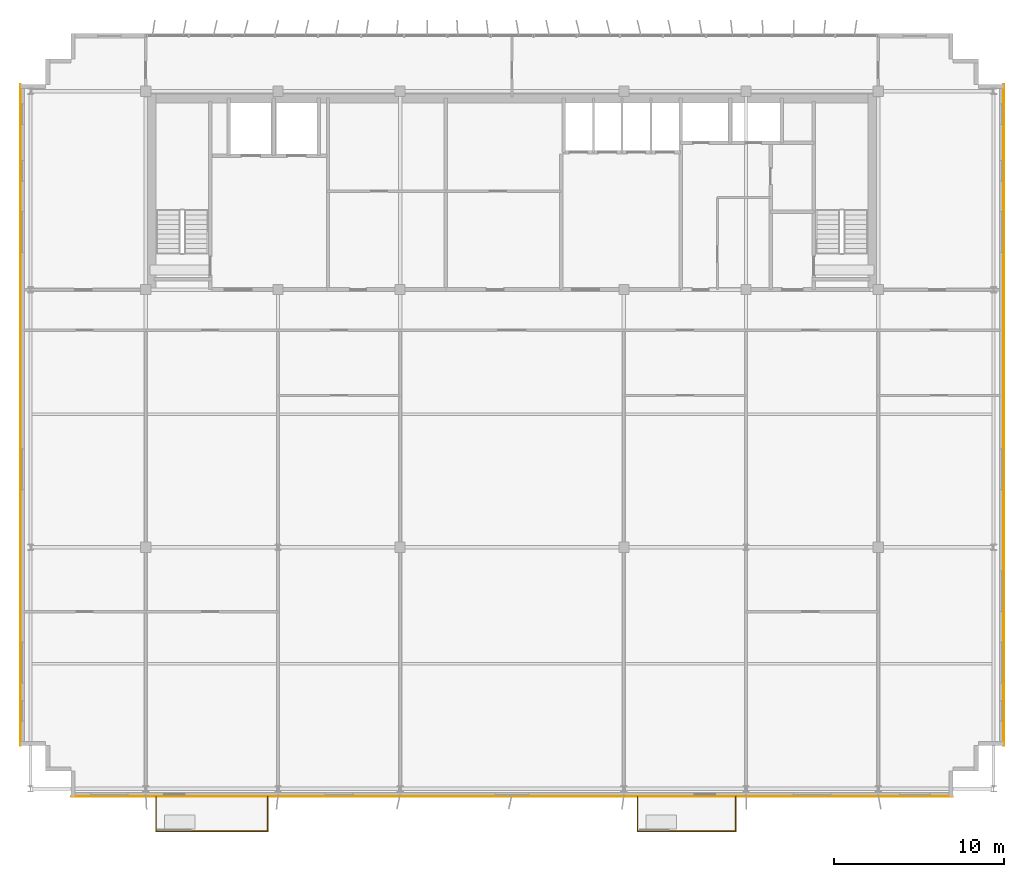
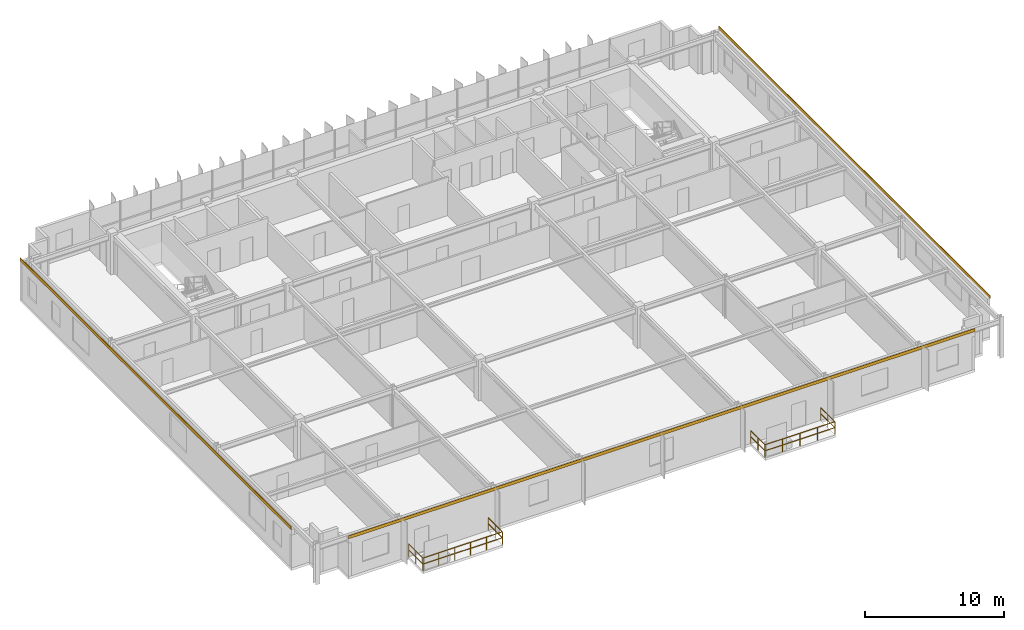
# One storey, part 20 of 21: 6 railings, 3 coverings.
"""IFC4 building model written with IfcOpenShell, lengths in metres."""

from ifc_helpers import new_model, si_unit, direction, frame, origin, origin_2d, place, context, subcontext, project, spatial, rectangle, extrude, source, transform, mapped, material, layer, layer_set, type_object, element, save


model = new_model("IFC4")

# Units and contexts
model_context = context("Model", 3, precision=1e-05, world=origin(), true_north=direction((0.0, 1.0)))
body_context = subcontext(model_context, "Body", "Model", "MODEL_VIEW")
ifc_project = project(units=[si_unit("LENGTHUNIT", "METRE"), si_unit("AREAUNIT", "SQUARE_METRE"), si_unit("VOLUMEUNIT", "CUBIC_METRE"), si_unit("PLANEANGLEUNIT", "RADIAN"), si_unit("MASSUNIT", "GRAM", prefix="KILO")], contexts=[model_context])

# Site, building, storey
site_placement = place(None, origin())
site = spatial("IfcSite", under=ifc_project, at=site_placement, CompositionType="ELEMENT")
building_placement = place(site_placement, origin())
building = spatial("IfcBuilding", under=site, at=building_placement, Name="Trelvane Seafront Commons", CompositionType="ELEMENT")
storey_placement = place(building_placement, frame((0.0, 0.0, 252.300048828125)))
storey = spatial("IfcBuildingStorey", under=building, at=storey_placement, Name="L65", CompositionType="ELEMENT", Elevation=252.300048828125)

# Railings
ifc_material_1 = material(Name="Stainless steel balustrade", Category="steel")
railing_type = type_object("IfcRailingType", Name="ARCH-RAIL-BAL1150", PredefinedType="BALUSTRADE", material=ifc_material_1)
railing_1_placement = place(storey_placement, frame((16.199951171875, 3.5, 0.0)))
element("IfcRailing", 1, at=railing_1_placement, inside=storey, type_object=railing_type, Name="RL-L65-BAL0-01", PredefinedType="BALUSTRADE", context=body_context, shape_type="SweptSolid", body=[
    extrude(rectangle(XDim=0.048095703125, YDim=0.048095703125, at=origin_2d()), frame((0.0, 0.0, 1.1259765625), z_axis=(0.0, -1.0, 0.0), x_axis=(1.0, 0.0, 0.0)), (0.0, 0.0, 1.0), 2.0400390625),
    extrude(rectangle(XDim=0.048095703125, YDim=0.048095703125, at=origin_2d()), frame((0.0, 0.0, 0.597900390625), z_axis=(0.0, -1.0, 0.0), x_axis=(1.0, 0.0, 0.0)), (0.0, 0.0, 1.0), 2.0400390625),
    extrude(rectangle(XDim=0.0419921875, YDim=0.0419921875, at=origin_2d()), origin(), (0.0, 0.0, 1.0), 1.1259765625),
    extrude(rectangle(XDim=0.0419921875, YDim=0.0419921875, at=origin_2d()), frame((0.0, -1.02001953125, 0.0)), (0.0, 0.0, 1.0), 1.1259765625),
    extrude(rectangle(XDim=0.0419921875, YDim=0.0419921875, at=origin_2d()), frame((0.0, -2.0400390625, 0.0)), (0.0, 0.0, 1.0), 1.1259765625),
])
railing_2_placement = place(storey_placement, frame((16.199951171875, 1.4599609375, 0.0)))
element("IfcRailing", 2, at=railing_2_placement, inside=storey, type_object=railing_type, Name="RL-L65-BAL0-02", PredefinedType="BALUSTRADE", context=body_context, shape_type="SweptSolid", body=[
    extrude(rectangle(XDim=0.048095703125, YDim=0.048095703125, at=origin_2d()), frame((0.0, 0.0, 1.1259765625), z_axis=(1.0, 0.0, 0.0), x_axis=(0.0, 1.0, 0.0)), (0.0, 0.0, 1.0), 6.60009765625),
    extrude(rectangle(XDim=0.048095703125, YDim=0.048095703125, at=origin_2d()), frame((0.0, 0.0, 0.597900390625), z_axis=(1.0, 0.0, 0.0), x_axis=(0.0, 1.0, 0.0)), (0.0, 0.0, 1.0), 6.60009765625),
    extrude(rectangle(XDim=0.0419921875, YDim=0.0419921875, at=origin_2d()), origin(), (0.0, 0.0, 1.0), 1.1259765625),
    extrude(rectangle(XDim=0.0419921875, YDim=0.0419921875, at=origin_2d()), frame((1.320068359375, 0.0, 0.0)), (0.0, 0.0, 1.0), 1.1259765625),
    extrude(rectangle(XDim=0.0419921875, YDim=0.0419921875, at=origin_2d()), frame((2.64013671875, 0.0, 0.0)), (0.0, 0.0, 1.0), 1.1259765625),
    extrude(rectangle(XDim=0.0419921875, YDim=0.0419921875, at=origin_2d()), frame((3.9599609375, 0.0, 0.0)), (0.0, 0.0, 1.0), 1.1259765625),
    extrude(rectangle(XDim=0.0419921875, YDim=0.0419921875, at=origin_2d()), frame((5.280029296875, 0.0, 0.0)), (0.0, 0.0, 1.0), 1.1259765625),
    extrude(rectangle(XDim=0.0419921875, YDim=0.0419921875, at=origin_2d()), frame((6.60009765625, 0.0, 0.0)), (0.0, 0.0, 1.0), 1.1259765625),
])
railing_3_placement = place(storey_placement, frame((22.800048828125, 1.4599609375, 0.0)))
element("IfcRailing", 3, at=railing_3_placement, inside=storey, type_object=railing_type, Name="RL-L65-BAL0-03", PredefinedType="BALUSTRADE", context=body_context, shape_type="SweptSolid", body=[
    extrude(rectangle(XDim=0.048095703125, YDim=0.048095703125, at=origin_2d()), frame((0.0, 0.0, 1.1259765625), z_axis=(0.0, 1.0, 0.0), x_axis=(-1.0, 0.0, 0.0)), (0.0, 0.0, 1.0), 2.0400390625),
    extrude(rectangle(XDim=0.048095703125, YDim=0.048095703125, at=origin_2d()), frame((0.0, 0.0, 0.597900390625), z_axis=(0.0, 1.0, 0.0), x_axis=(-1.0, 0.0, 0.0)), (0.0, 0.0, 1.0), 2.0400390625),
    extrude(rectangle(XDim=0.0419921875, YDim=0.0419921875, at=origin_2d()), origin(), (0.0, 0.0, 1.0), 1.1259765625),
    extrude(rectangle(XDim=0.0419921875, YDim=0.0419921875, at=origin_2d()), frame((0.0, 1.02001953125, 0.0)), (0.0, 0.0, 1.0), 1.1259765625),
    extrude(rectangle(XDim=0.0419921875, YDim=0.0419921875, at=origin_2d()), frame((0.0, 2.0400390625, 0.0)), (0.0, 0.0, 1.0), 1.1259765625),
])
railing_4_placement = place(storey_placement, frame((44.60009765625, 3.5, 0.0)))
element("IfcRailing", 4, at=railing_4_placement, inside=storey, type_object=railing_type, Name="RL-L65-BAL1-01", PredefinedType="BALUSTRADE", context=body_context, shape_type="SweptSolid", body=[
    extrude(rectangle(XDim=0.048095703125, YDim=0.048095703125, at=origin_2d()), frame((0.0, 0.0, 1.1259765625), z_axis=(0.0, -1.0, 0.0), x_axis=(1.0, 0.0, 0.0)), (0.0, 0.0, 1.0), 2.0400390625),
    extrude(rectangle(XDim=0.048095703125, YDim=0.048095703125, at=origin_2d()), frame((0.0, 0.0, 0.597900390625), z_axis=(0.0, -1.0, 0.0), x_axis=(1.0, 0.0, 0.0)), (0.0, 0.0, 1.0), 2.0400390625),
    extrude(rectangle(XDim=0.0419921875, YDim=0.0419921875, at=origin_2d()), origin(), (0.0, 0.0, 1.0), 1.1259765625),
    extrude(rectangle(XDim=0.0419921875, YDim=0.0419921875, at=origin_2d()), frame((0.0, -1.02001953125, 0.0)), (0.0, 0.0, 1.0), 1.1259765625),
    extrude(rectangle(XDim=0.0419921875, YDim=0.0419921875, at=origin_2d()), frame((0.0, -2.0400390625, 0.0)), (0.0, 0.0, 1.0), 1.1259765625),
])
railing_5_placement = place(storey_placement, frame((44.60009765625, 1.4599609375, 0.0)))
element("IfcRailing", 5, at=railing_5_placement, inside=storey, type_object=railing_type, Name="RL-L65-BAL1-02", PredefinedType="BALUSTRADE", context=body_context, shape_type="SweptSolid", body=[
    extrude(rectangle(XDim=0.048095703125, YDim=0.048095703125, at=origin_2d()), frame((0.0, 0.0, 1.1259765625), z_axis=(1.0, 0.0, 0.0), x_axis=(0.0, 1.0, 0.0)), (0.0, 0.0, 1.0), 5.7998046875),
    extrude(rectangle(XDim=0.048095703125, YDim=0.048095703125, at=origin_2d()), frame((0.0, 0.0, 0.597900390625), z_axis=(1.0, 0.0, 0.0), x_axis=(0.0, 1.0, 0.0)), (0.0, 0.0, 1.0), 5.7998046875),
    extrude(rectangle(XDim=0.0419921875, YDim=0.0419921875, at=origin_2d()), origin(), (0.0, 0.0, 1.0), 1.1259765625),
    extrude(rectangle(XDim=0.0419921875, YDim=0.0419921875, at=origin_2d()), frame((1.449951171875, 0.0, 0.0)), (0.0, 0.0, 1.0), 1.1259765625),
    extrude(rectangle(XDim=0.0419921875, YDim=0.0419921875, at=origin_2d()), frame((2.89990234375, 0.0, 0.0)), (0.0, 0.0, 1.0), 1.1259765625),
    extrude(rectangle(XDim=0.0419921875, YDim=0.0419921875, at=origin_2d()), frame((4.349853515625, 0.0, 0.0)), (0.0, 0.0, 1.0), 1.1259765625),
    extrude(rectangle(XDim=0.0419921875, YDim=0.0419921875, at=origin_2d()), frame((5.7998046875, 0.0, 0.0)), (0.0, 0.0, 1.0), 1.1259765625),
])
railing_6_placement = place(storey_placement, frame((50.39990234375, 1.4599609375, 0.0)))
element("IfcRailing", 6, at=railing_6_placement, inside=storey, type_object=railing_type, Name="RL-L65-BAL1-03", PredefinedType="BALUSTRADE", context=body_context, shape_type="SweptSolid", body=[
    extrude(rectangle(XDim=0.048095703125, YDim=0.048095703125, at=origin_2d()), frame((0.0, 0.0, 1.1259765625), z_axis=(0.0, 1.0, 0.0), x_axis=(-1.0, 0.0, 0.0)), (0.0, 0.0, 1.0), 2.0400390625),
    extrude(rectangle(XDim=0.048095703125, YDim=0.048095703125, at=origin_2d()), frame((0.0, 0.0, 0.597900390625), z_axis=(0.0, 1.0, 0.0), x_axis=(-1.0, 0.0, 0.0)), (0.0, 0.0, 1.0), 2.0400390625),
    extrude(rectangle(XDim=0.0419921875, YDim=0.0419921875, at=origin_2d()), origin(), (0.0, 0.0, 1.0), 1.1259765625),
    extrude(rectangle(XDim=0.0419921875, YDim=0.0419921875, at=origin_2d()), frame((0.0, 1.02001953125, 0.0)), (0.0, 0.0, 1.0), 1.1259765625),
    extrude(rectangle(XDim=0.0419921875, YDim=0.0419921875, at=origin_2d()), frame((0.0, 2.0400390625, 0.0)), (0.0, 0.0, 1.0), 1.1259765625),
])

# Coverings
ifc_material_2 = material(Name="Anodised pale-silver aluminium", Category="aluminium")
ifc_layer = layer(ifc_material_2, 0.034912109375, Name="ARCH-COV-CLAD35")
ifc_layer_set = layer_set([ifc_layer], Name="Anodised pale-silver aluminium")
covering_type = type_object("IfcCoveringType", Name="ARCH-COV-CLAD35", PredefinedType="CLADDING", material=ifc_layer_set)
shared_shape_1 = source(origin(), body_context, "Body", "SweptSolid", [
    extrude(rectangle(XDim=39.0, YDim=0.034912109375, at=origin_2d()), origin(), (0.0, 0.0, 1.0), 0.27001953125),
])
for number, where, z_axis, x_axis, name in (
    (7, (8.199951171875, 26.0, 3.329833984375), (0.0, 0.0, 1.0), (0.0, 1.0, 0.0), "CLD-L65-00266"),
    (8, (66.199951171875, 26.0, 3.329833984375), (0.0, 0.0, 1.0), (0.0, -1.0, 0.0), "CLD-L65-00267"),
):
    element("IfcCovering", number, at=place(storey_placement, frame(where, z_axis=z_axis, x_axis=x_axis)), inside=storey, type_object=covering_type, Name=name, PredefinedType="CLADDING", context=body_context, shape_type="MappedRepresentation", body=[
        mapped(shared_shape_1, transform((0.0, 0.0, 0.0), x_axis=(1.0, 0.0, 0.0), y_axis=(0.0, 1.0, 0.0), z_axis=(0.0, 0.0, 1.0), scale=1.0)),
    ])
shared_shape_2 = source(origin(), body_context, "Body", "SweptSolid", [
    extrude(rectangle(XDim=52.0, YDim=0.034912109375, at=origin_2d()), origin(), (0.0, 0.0, 1.0), 0.27001953125),
])
covering_placement = place(storey_placement, frame((37.199951171875, 3.5, 3.329833984375), z_axis=(0.0, 0.0, 1.0), x_axis=(-1.0, 0.0, 0.0)))
element("IfcCovering", 9, at=covering_placement, inside=storey, type_object=covering_type, Name="CLD-L65-00268", PredefinedType="CLADDING", context=body_context, shape_type="MappedRepresentation", body=[
    mapped(shared_shape_2, transform((0.0, 0.0, 0.0), x_axis=(1.0, 0.0, 0.0), y_axis=(0.0, 1.0, 0.0), z_axis=(0.0, 0.0, 1.0), scale=1.0)),
])

save(model, "model.ifc")
